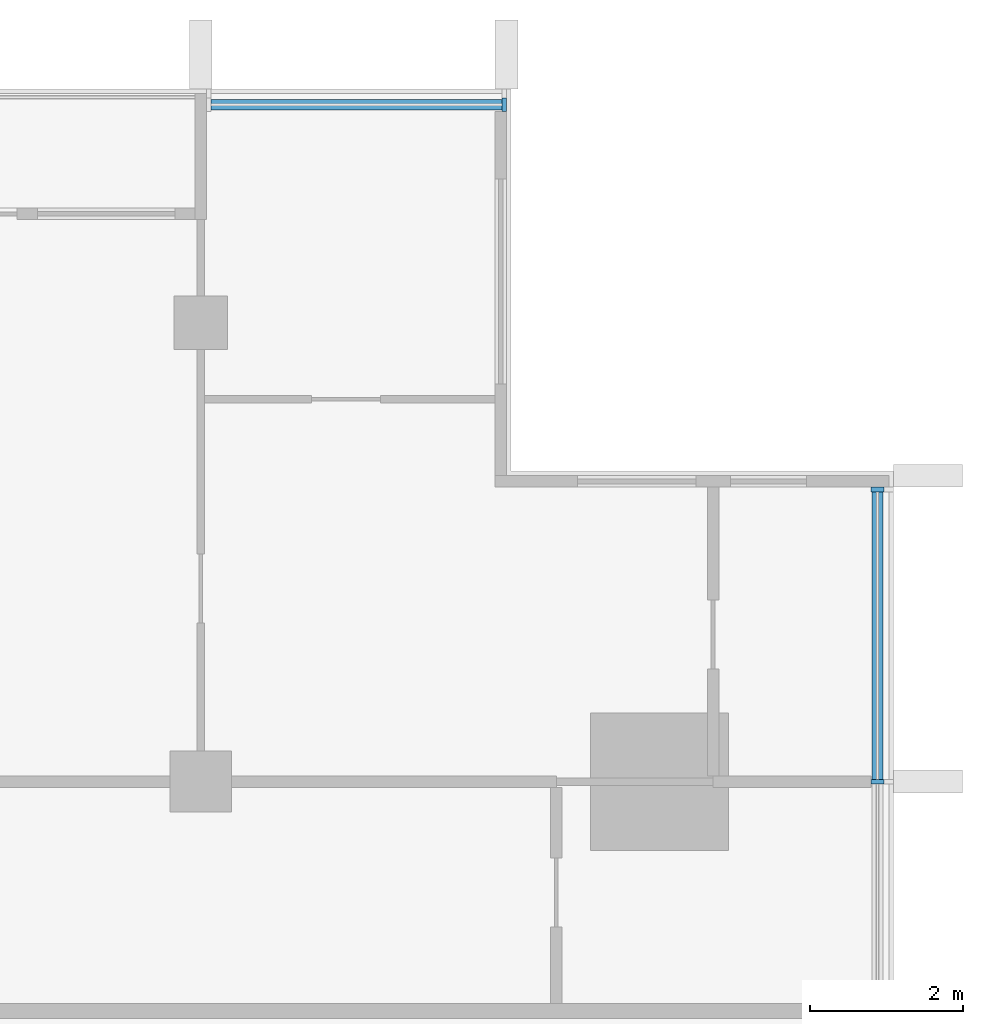
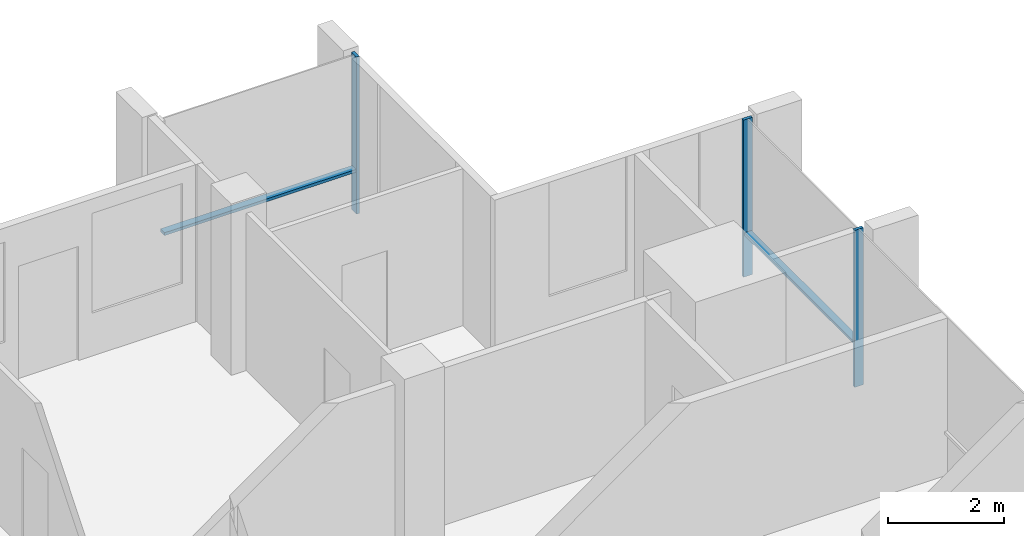
# One storey, part 5 of 16: 5 members, 2 elements without a shape of their own.
"""IFC4 building model written with IfcOpenShell, lengths in metres."""

from ifc_helpers import new_model, si_unit, direction, frame, origin, origin_2d, place, context, subcontext, project, spatial, rectangle, extrude, material, material_profile, profile_set, type_object, element, aggregate, save


model = new_model("IFC4")

# Units and contexts
model_context = context("Model", 3, precision=1e-05, world=origin(), true_north=direction((0.0, 1.0)))
body_context = subcontext(model_context, "Body", "Model", "MODEL_VIEW")
ifc_project = project(units=[si_unit("LENGTHUNIT", "METRE"), si_unit("AREAUNIT", "SQUARE_METRE"), si_unit("VOLUMEUNIT", "CUBIC_METRE"), si_unit("PLANEANGLEUNIT", "RADIAN"), si_unit("MASSUNIT", "GRAM", prefix="KILO")], contexts=[model_context])

# Site, building, storey
site_placement = place(None, origin())
site = spatial("IfcSite", under=ifc_project, at=site_placement, CompositionType="ELEMENT")
building_placement = place(site_placement, origin())
building = spatial("IfcBuilding", under=site, at=building_placement, Name="Finial Court Residences", CompositionType="ELEMENT")
storey_placement = place(building_placement, frame((0.0, 0.0, 284.300048828125)))
storey = spatial("IfcBuildingStorey", under=building, at=storey_placement, Name="L72", CompositionType="ELEMENT", Elevation=284.300048828125)

# Curtain wall, member
ifc_material = material(Name="Bronze anodised aluminium", Category="aluminium")
curtain_wall_type = type_object("IfcCurtainWallType", Name="Unitised curtain wall, upper zones", PredefinedType="NOTDEFINED", material=ifc_material)
curtain_wall_1_placement = place(storey_placement, origin())
curtain_wall_1 = element("IfcCurtainWall", 1, at=curtain_wall_1_placement, inside=storey, type_object=curtain_wall_type, Name="E-L72-CW-N3", PredefinedType="NOTDEFINED")
ifc_material_profile_1 = material_profile(ifc_material, rectangle(XDim=0.175048828125, YDim=0.06005859375, at=origin_2d()), Name="CW2 mullion 60 x 175")
ifc_profile_set_1 = profile_set([ifc_material_profile_1], Name="Bronze anodised aluminium")
member_type_1 = type_object("IfcMemberType", Name="CW2 mullion 60 x 175", PredefinedType="MULLION", material=ifc_profile_set_1)
member_1_placement = place(storey_placement, frame((14.469970703125, 16.35009765625, 0.0), z_axis=(0.0, 0.0, 1.0), x_axis=(0.0, 1.0, 0.0)))
member_1 = element("IfcMember", 2, at=member_1_placement, type_object=member_type_1, Name="CW2 mullion 2", PredefinedType="MULLION", context=body_context, shape_type="SweptSolid", body=[
    extrude(rectangle(XDim=0.175048828125, YDim=0.06005859375, at=origin_2d()), origin(), (0.0, 0.0, 1.0), 3.300048828125),
])

# Curtain wall, members
curtain_wall_2_placement = place(storey_placement, origin())
curtain_wall_2 = element("IfcCurtainWall", 3, at=curtain_wall_2_placement, inside=storey, type_object=curtain_wall_type, Name="E-L72-CW-E6", PredefinedType="NOTDEFINED")
member_2_placement = place(storey_placement, frame((19.35009765625, 7.5, 0.0), z_axis=(0.0, 0.0, 1.0), x_axis=(-1.0, 0.0, 0.0)))
member_2 = element("IfcMember", 4, at=member_2_placement, type_object=member_type_1, Name="CW2 mullion 2", PredefinedType="MULLION", context=body_context, shape_type="SweptSolid", body=[
    extrude(rectangle(XDim=0.175048828125, YDim=0.06005859375, at=origin_2d()), origin(), (0.0, 0.0, 1.0), 3.300048828125),
])
member_3_placement = place(storey_placement, frame((19.35009765625, 11.320068359375, 0.0), z_axis=(0.0, 0.0, 1.0), x_axis=(-1.0, 0.0, 0.0)))
member_3 = element("IfcMember", 5, at=member_3_placement, type_object=member_type_1, Name="CW2 mullion 3", PredefinedType="MULLION", context=body_context, shape_type="SweptSolid", body=[
    extrude(rectangle(XDim=0.175048828125, YDim=0.06005859375, at=origin_2d()), origin(), (0.0, 0.0, 1.0), 3.300048828125),
])

# Member
ifc_material_profile_2 = material_profile(ifc_material, rectangle(XDim=0.139892578125, YDim=0.06005859375, at=origin_2d()), Name="CW2 transom 60 x 140")
ifc_profile_set_2 = profile_set([ifc_material_profile_2], Name="Bronze anodised aluminium")
member_type_2 = type_object("IfcMemberType", Name="CW2 transom 60 x 140", PredefinedType="USERDEFINED", material=ifc_profile_set_2)
member_4_placement = place(storey_placement, frame((10.635009765625, 16.35009765625, 0.89990234375), z_axis=(1.0, 0.0, 0.0), x_axis=(0.0, 1.0, 0.0)))
member_4 = element("IfcMember", 6, at=member_4_placement, type_object=member_type_2, Name="CW2 transom 1.1", ObjectType="TRANSOM", PredefinedType="USERDEFINED", context=body_context, shape_type="SweptSolid", body=[
    extrude(rectangle(XDim=0.139892578125, YDim=0.06005859375, at=origin_2d()), origin(), (0.0, 0.0, 1.0), 3.804931640625),
])

aggregate(curtain_wall_1, [member_1, member_4])

member_5_placement = place(storey_placement, frame((19.35009765625, 7.530029296875, 0.89990234375), z_axis=(0.0, 1.0, 0.0), x_axis=(-1.0, 0.0, 0.0)))
member_5 = element("IfcMember", 7, at=member_5_placement, type_object=member_type_2, Name="CW2 transom 2.1", ObjectType="TRANSOM", PredefinedType="USERDEFINED", context=body_context, shape_type="SweptSolid", body=[
    extrude(rectangle(XDim=0.139892578125, YDim=0.06005859375, at=origin_2d()), origin(), (0.0, 0.0, 1.0), 3.760009765625),
])

aggregate(curtain_wall_2, [member_2, member_3, member_5])

save(model, "model.ifc")
